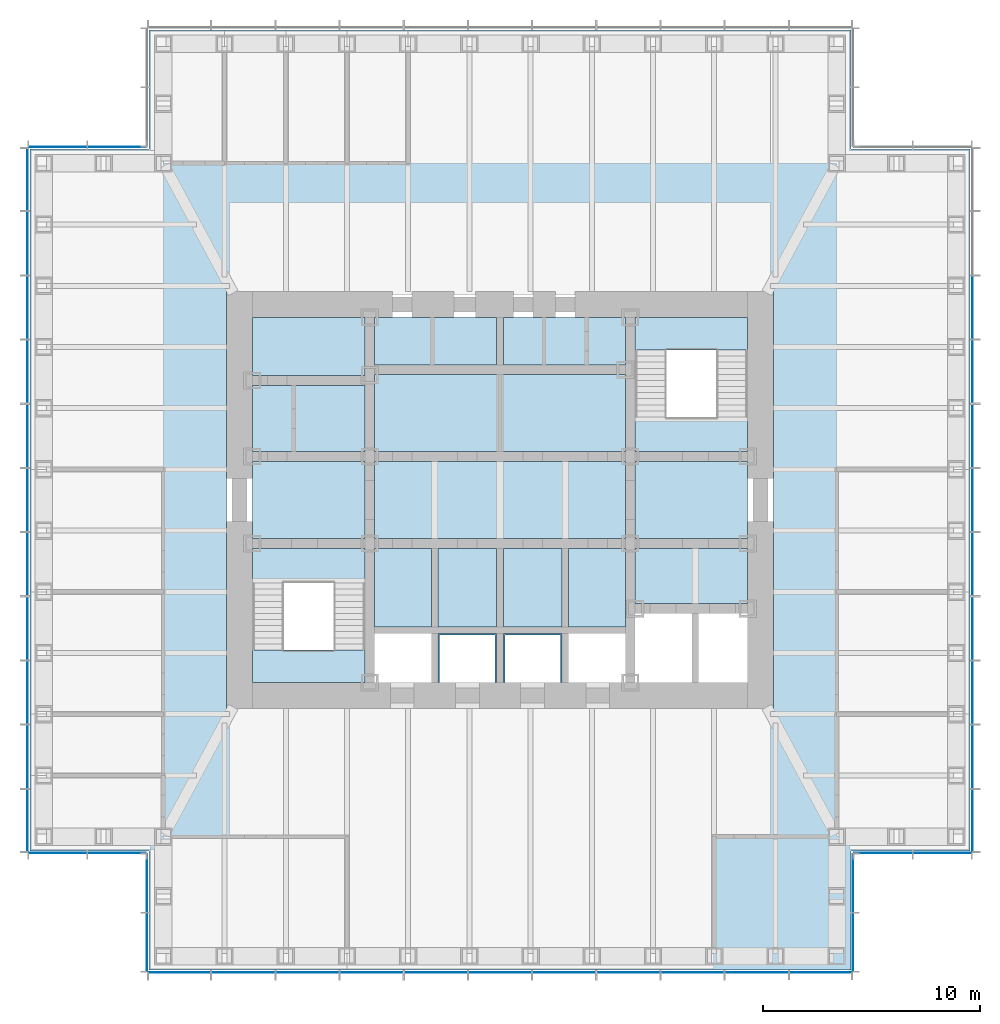
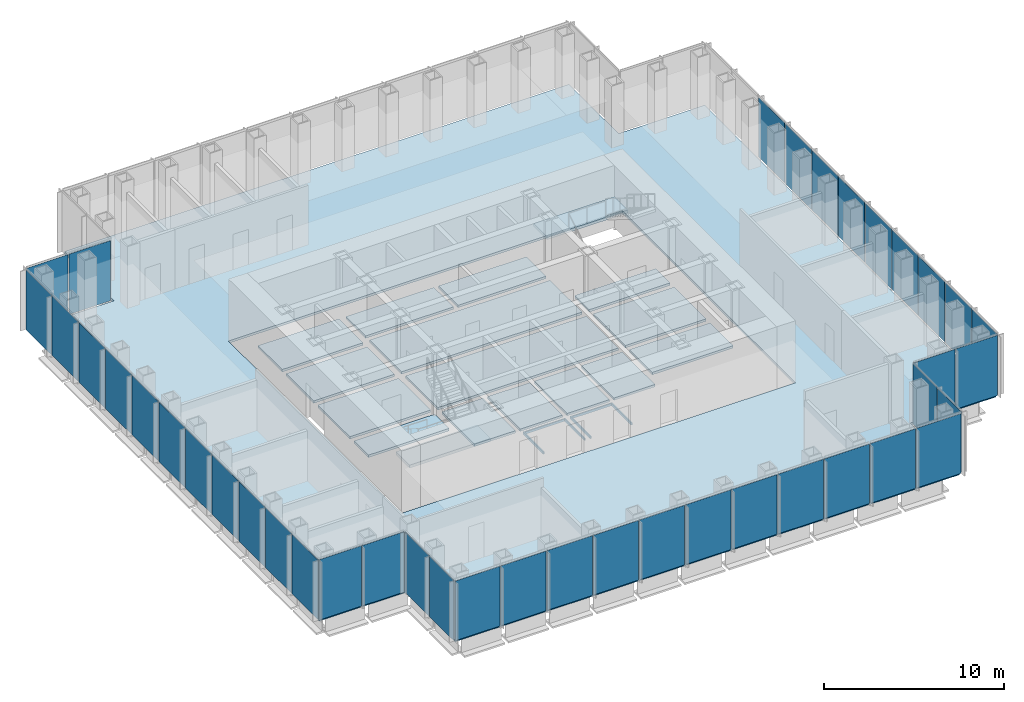
# One storey, part 7 of 16: 41 plates, 20 slabs, 10 elements without a shape of their own.
"""IFC4 building model written with IfcOpenShell, lengths in metres."""

from ifc_helpers import new_model, si_unit, direction, frame, origin, origin_2d, place, context, subcontext, project, spatial, polyline, rectangle, outline, extrude, material, layer, layer_set, type_object, element, aggregate, save


model = new_model("IFC4")

# Units and contexts
model_context = context("Model", 3, precision=1e-05, world=origin(), true_north=direction((0.0, 1.0)))
body_context = subcontext(model_context, "Body", "Model", "MODEL_VIEW")
ifc_project = project(units=[si_unit("LENGTHUNIT", "METRE"), si_unit("AREAUNIT", "SQUARE_METRE"), si_unit("VOLUMEUNIT", "CUBIC_METRE"), si_unit("PLANEANGLEUNIT", "RADIAN"), si_unit("MASSUNIT", "GRAM", prefix="KILO")], contexts=[model_context])

# Site, building, storey
site_placement = place(None, origin())
site = spatial("IfcSite", under=ifc_project, at=site_placement, CompositionType="ELEMENT")
building_placement = place(site_placement, origin())
building = spatial("IfcBuilding", under=site, at=building_placement, Name="Daluyong Arena Tower", CompositionType="ELEMENT")
storey_placement = place(building_placement, frame((0.0, 0.0, 235.89990234375)))
storey = spatial("IfcBuildingStorey", under=building, at=storey_placement, Name="L53", CompositionType="ELEMENT", Elevation=235.89990234375)

# Curtain wall, plates
ifc_material_1 = material(Name="Bronze anodised aluminium and glass", Category="aluminium")
curtain_wall_type_1 = type_object("IfcCurtainWallType", Name="Curtain wall CW3", PredefinedType="USERDEFINED", material=ifc_material_1)
curtain_wall_1_placement = place(storey_placement, origin())
curtain_wall_1 = element("IfcCurtainWall", 1, at=curtain_wall_1_placement, inside=storey, type_object=curtain_wall_type_1, Name="curtain wall L53 S", ObjectType="UNITISED CURTAIN WALL", PredefinedType="USERDEFINED")
ifc_material_2 = material(Name="Tinted double glazed unit", Category="glass")
ifc_layer_1 = layer(ifc_material_2, 0.030029296875)
ifc_layer_set_1 = layer_set([ifc_layer_1], Name="Tinted double glazed unit")
plate_type_1 = type_object("IfcPlateType", Name="CW3 panel 30", PredefinedType="CURTAIN_PANEL", material=ifc_layer_set_1)
plate_1_placement = place(storey_placement, frame((41.244873046875, 58.25, 0.0), z_axis=(0.0, 0.0, 1.0), x_axis=(1.0, 0.0, 0.0)))
plate_1 = element("IfcPlate", 2, at=plate_1_placement, type_object=plate_type_1, Name="curtain wall L53 S panel 1", PredefinedType="CURTAIN_PANEL", context=body_context, shape_type="SweptSolid", body=[
    extrude(rectangle(XDim=2.849609375, YDim=0.030029296875, at=origin_2d()), origin(), (0.0, 0.0, 1.0), 4.0400390625),
])
plate_2_placement = place(storey_placement, frame((44.181884765625, 58.25, 0.0), z_axis=(0.0, 0.0, 1.0), x_axis=(1.0, 0.0, 0.0)))
plate_2 = element("IfcPlate", 3, at=plate_2_placement, type_object=plate_type_1, Name="curtain wall L53 S panel 2", PredefinedType="CURTAIN_PANEL", context=body_context, shape_type="SweptSolid", body=[
    extrude(rectangle(XDim=2.884521484375, YDim=0.030029296875, at=origin_2d()), origin(), (0.0, 0.0, 1.0), 4.0400390625),
])
plate_3_placement = place(storey_placement, frame((47.136474609375, 58.25, 0.0), z_axis=(0.0, 0.0, 1.0), x_axis=(1.0, 0.0, 0.0)))
plate_3 = element("IfcPlate", 4, at=plate_3_placement, type_object=plate_type_1, Name="curtain wall L53 S panel 3", PredefinedType="CURTAIN_PANEL", context=body_context, shape_type="SweptSolid", body=[
    extrude(rectangle(XDim=2.884521484375, YDim=0.030029296875, at=origin_2d()), origin(), (0.0, 0.0, 1.0), 4.0400390625),
])
plate_4_placement = place(storey_placement, frame((50.0908203125, 58.25, 0.0), z_axis=(0.0, 0.0, 1.0), x_axis=(1.0, 0.0, 0.0)))
plate_4 = element("IfcPlate", 5, at=plate_4_placement, type_object=plate_type_1, Name="curtain wall L53 S panel 4", PredefinedType="CURTAIN_PANEL", context=body_context, shape_type="SweptSolid", body=[
    extrude(rectangle(XDim=2.884521484375, YDim=0.030029296875, at=origin_2d()), origin(), (0.0, 0.0, 1.0), 4.0400390625),
])
plate_5_placement = place(storey_placement, frame((53.04541015625, 58.25, 0.0), z_axis=(0.0, 0.0, 1.0), x_axis=(1.0, 0.0, 0.0)))
plate_5 = element("IfcPlate", 6, at=plate_5_placement, type_object=plate_type_1, Name="curtain wall L53 S panel 5", PredefinedType="CURTAIN_PANEL", context=body_context, shape_type="SweptSolid", body=[
    extrude(rectangle(XDim=2.884521484375, YDim=0.030029296875, at=origin_2d()), origin(), (0.0, 0.0, 1.0), 4.0400390625),
])
plate_6_placement = place(storey_placement, frame((56.0, 58.25, 0.0), z_axis=(0.0, 0.0, 1.0), x_axis=(1.0, 0.0, 0.0)))
plate_6 = element("IfcPlate", 7, at=plate_6_placement, type_object=plate_type_1, Name="curtain wall L53 S panel 6", PredefinedType="CURTAIN_PANEL", context=body_context, shape_type="SweptSolid", body=[
    extrude(rectangle(XDim=2.884521484375, YDim=0.030029296875, at=origin_2d()), origin(), (0.0, 0.0, 1.0), 4.0400390625),
])
plate_7_placement = place(storey_placement, frame((58.95458984375, 58.25, 0.0), z_axis=(0.0, 0.0, 1.0), x_axis=(1.0, 0.0, 0.0)))
plate_7 = element("IfcPlate", 8, at=plate_7_placement, type_object=plate_type_1, Name="curtain wall L53 S panel 7", PredefinedType="CURTAIN_PANEL", context=body_context, shape_type="SweptSolid", body=[
    extrude(rectangle(XDim=2.884521484375, YDim=0.030029296875, at=origin_2d()), origin(), (0.0, 0.0, 1.0), 4.0400390625),
])
plate_8_placement = place(storey_placement, frame((61.9091796875, 58.25, 0.0), z_axis=(0.0, 0.0, 1.0), x_axis=(1.0, 0.0, 0.0)))
plate_8 = element("IfcPlate", 9, at=plate_8_placement, type_object=plate_type_1, Name="curtain wall L53 S panel 8", PredefinedType="CURTAIN_PANEL", context=body_context, shape_type="SweptSolid", body=[
    extrude(rectangle(XDim=2.884521484375, YDim=0.030029296875, at=origin_2d()), origin(), (0.0, 0.0, 1.0), 4.0400390625),
])
plate_9_placement = place(storey_placement, frame((64.863525390625, 58.25, 0.0), z_axis=(0.0, 0.0, 1.0), x_axis=(1.0, 0.0, 0.0)))
plate_9 = element("IfcPlate", 10, at=plate_9_placement, type_object=plate_type_1, Name="curtain wall L53 S panel 9", PredefinedType="CURTAIN_PANEL", context=body_context, shape_type="SweptSolid", body=[
    extrude(rectangle(XDim=2.884521484375, YDim=0.030029296875, at=origin_2d()), origin(), (0.0, 0.0, 1.0), 4.0400390625),
])
plate_10_placement = place(storey_placement, frame((67.818115234375, 58.25, 0.0), z_axis=(0.0, 0.0, 1.0), x_axis=(1.0, 0.0, 0.0)))
plate_10 = element("IfcPlate", 11, at=plate_10_placement, type_object=plate_type_1, Name="curtain wall L53 S panel 10", PredefinedType="CURTAIN_PANEL", context=body_context, shape_type="SweptSolid", body=[
    extrude(rectangle(XDim=2.884521484375, YDim=0.030029296875, at=origin_2d()), origin(), (0.0, 0.0, 1.0), 4.0400390625),
])
plate_11_placement = place(storey_placement, frame((70.755126953125, 58.25, 0.0), z_axis=(0.0, 0.0, 1.0), x_axis=(1.0, 0.0, 0.0)))
plate_11 = element("IfcPlate", 12, at=plate_11_placement, type_object=plate_type_1, Name="curtain wall L53 S panel 11", PredefinedType="CURTAIN_PANEL", context=body_context, shape_type="SweptSolid", body=[
    extrude(rectangle(XDim=2.849609375, YDim=0.030029296875, at=origin_2d()), origin(), (0.0, 0.0, 1.0), 4.0400390625),
])
aggregate(curtain_wall_1, [plate_1, plate_2, plate_3, plate_4, plate_5, plate_6, plate_7, plate_8, plate_9, plate_10, plate_11])

curtain_wall_2_placement = place(storey_placement, origin())
curtain_wall_2 = element("IfcCurtainWall", 13, at=curtain_wall_2_placement, inside=storey, type_object=curtain_wall_type_1, Name="curtain wall L53 E", ObjectType="UNITISED CURTAIN WALL", PredefinedType="USERDEFINED")
plate_12_placement = place(storey_placement, frame((77.75, 65.244873046875, 0.0), z_axis=(0.0, 0.0, 1.0), x_axis=(0.0, 1.0, 0.0)))
plate_12 = element("IfcPlate", 14, at=plate_12_placement, type_object=plate_type_1, Name="curtain wall L53 E panel 1", PredefinedType="CURTAIN_PANEL", context=body_context, shape_type="SweptSolid", body=[
    extrude(rectangle(XDim=2.849609375, YDim=0.030029296875, at=origin_2d()), origin(), (0.0, 0.0, 1.0), 4.0400390625),
])
plate_13_placement = place(storey_placement, frame((77.75, 68.181884765625, 0.0), z_axis=(0.0, 0.0, 1.0), x_axis=(0.0, 1.0, 0.0)))
plate_13 = element("IfcPlate", 15, at=plate_13_placement, type_object=plate_type_1, Name="curtain wall L53 E panel 2", PredefinedType="CURTAIN_PANEL", context=body_context, shape_type="SweptSolid", body=[
    extrude(rectangle(XDim=2.884521484375, YDim=0.030029296875, at=origin_2d()), origin(), (0.0, 0.0, 1.0), 4.0400390625),
])
plate_14_placement = place(storey_placement, frame((77.75, 71.136474609375, 0.0), z_axis=(0.0, 0.0, 1.0), x_axis=(0.0, 1.0, 0.0)))
plate_14 = element("IfcPlate", 16, at=plate_14_placement, type_object=plate_type_1, Name="curtain wall L53 E panel 3", PredefinedType="CURTAIN_PANEL", context=body_context, shape_type="SweptSolid", body=[
    extrude(rectangle(XDim=2.884521484375, YDim=0.030029296875, at=origin_2d()), origin(), (0.0, 0.0, 1.0), 4.0400390625),
])
plate_15_placement = place(storey_placement, frame((77.75, 74.0908203125, 0.0), z_axis=(0.0, 0.0, 1.0), x_axis=(0.0, 1.0, 0.0)))
plate_15 = element("IfcPlate", 17, at=plate_15_placement, type_object=plate_type_1, Name="curtain wall L53 E panel 4", PredefinedType="CURTAIN_PANEL", context=body_context, shape_type="SweptSolid", body=[
    extrude(rectangle(XDim=2.884521484375, YDim=0.030029296875, at=origin_2d()), origin(), (0.0, 0.0, 1.0), 4.0400390625),
])
plate_16_placement = place(storey_placement, frame((77.75, 77.04541015625, 0.0), z_axis=(0.0, 0.0, 1.0), x_axis=(0.0, 1.0, 0.0)))
plate_16 = element("IfcPlate", 18, at=plate_16_placement, type_object=plate_type_1, Name="curtain wall L53 E panel 5", PredefinedType="CURTAIN_PANEL", context=body_context, shape_type="SweptSolid", body=[
    extrude(rectangle(XDim=2.884521484375, YDim=0.030029296875, at=origin_2d()), origin(), (0.0, 0.0, 1.0), 4.0400390625),
])
plate_17_placement = place(storey_placement, frame((77.75, 80.0, 0.0), z_axis=(0.0, 0.0, 1.0), x_axis=(0.0, 1.0, 0.0)))
plate_17 = element("IfcPlate", 19, at=plate_17_placement, type_object=plate_type_1, Name="curtain wall L53 E panel 6", PredefinedType="CURTAIN_PANEL", context=body_context, shape_type="SweptSolid", body=[
    extrude(rectangle(XDim=2.884521484375, YDim=0.030029296875, at=origin_2d()), origin(), (0.0, 0.0, 1.0), 4.0400390625),
])
plate_18_placement = place(storey_placement, frame((77.75, 82.95458984375, 0.0), z_axis=(0.0, 0.0, 1.0), x_axis=(0.0, 1.0, 0.0)))
plate_18 = element("IfcPlate", 20, at=plate_18_placement, type_object=plate_type_1, Name="curtain wall L53 E panel 7", PredefinedType="CURTAIN_PANEL", context=body_context, shape_type="SweptSolid", body=[
    extrude(rectangle(XDim=2.884521484375, YDim=0.030029296875, at=origin_2d()), origin(), (0.0, 0.0, 1.0), 4.0400390625),
])
plate_19_placement = place(storey_placement, frame((77.75, 85.9091796875, 0.0), z_axis=(0.0, 0.0, 1.0), x_axis=(0.0, 1.0, 0.0)))
plate_19 = element("IfcPlate", 21, at=plate_19_placement, type_object=plate_type_1, Name="curtain wall L53 E panel 8", PredefinedType="CURTAIN_PANEL", context=body_context, shape_type="SweptSolid", body=[
    extrude(rectangle(XDim=2.884521484375, YDim=0.030029296875, at=origin_2d()), origin(), (0.0, 0.0, 1.0), 4.0400390625),
])
plate_20_placement = place(storey_placement, frame((77.75, 88.863525390625, 0.0), z_axis=(0.0, 0.0, 1.0), x_axis=(0.0, 1.0, 0.0)))
plate_20 = element("IfcPlate", 22, at=plate_20_placement, type_object=plate_type_1, Name="curtain wall L53 E panel 9", PredefinedType="CURTAIN_PANEL", context=body_context, shape_type="SweptSolid", body=[
    extrude(rectangle(XDim=2.884521484375, YDim=0.030029296875, at=origin_2d()), origin(), (0.0, 0.0, 1.0), 4.0400390625),
])
aggregate(curtain_wall_2, [plate_12, plate_13, plate_14, plate_15, plate_16, plate_17, plate_18, plate_19, plate_20])

curtain_wall_3_placement = place(storey_placement, origin())
curtain_wall_3 = element("IfcCurtainWall", 23, at=curtain_wall_3_placement, inside=storey, type_object=curtain_wall_type_1, Name="curtain wall L53 W", ObjectType="UNITISED CURTAIN WALL", PredefinedType="USERDEFINED")
plate_21_placement = place(storey_placement, frame((34.25, 94.755126953125, 0.0), z_axis=(0.0, 0.0, 1.0), x_axis=(0.0, -1.0, 0.0)))
plate_21 = element("IfcPlate", 24, at=plate_21_placement, type_object=plate_type_1, Name="curtain wall L53 W panel 1", PredefinedType="CURTAIN_PANEL", context=body_context, shape_type="SweptSolid", body=[
    extrude(rectangle(XDim=2.849609375, YDim=0.030029296875, at=origin_2d()), origin(), (0.0, 0.0, 1.0), 4.0400390625),
])
plate_22_placement = place(storey_placement, frame((34.25, 91.818115234375, 0.0), z_axis=(0.0, 0.0, 1.0), x_axis=(0.0, -1.0, 0.0)))
plate_22 = element("IfcPlate", 25, at=plate_22_placement, type_object=plate_type_1, Name="curtain wall L53 W panel 2", PredefinedType="CURTAIN_PANEL", context=body_context, shape_type="SweptSolid", body=[
    extrude(rectangle(XDim=2.884521484375, YDim=0.030029296875, at=origin_2d()), origin(), (0.0, 0.0, 1.0), 4.0400390625),
])
plate_23_placement = place(storey_placement, frame((34.25, 88.863525390625, 0.0), z_axis=(0.0, 0.0, 1.0), x_axis=(0.0, -1.0, 0.0)))
plate_23 = element("IfcPlate", 26, at=plate_23_placement, type_object=plate_type_1, Name="curtain wall L53 W panel 3", PredefinedType="CURTAIN_PANEL", context=body_context, shape_type="SweptSolid", body=[
    extrude(rectangle(XDim=2.884521484375, YDim=0.030029296875, at=origin_2d()), origin(), (0.0, 0.0, 1.0), 4.0400390625),
])
plate_24_placement = place(storey_placement, frame((34.25, 85.9091796875, 0.0), z_axis=(0.0, 0.0, 1.0), x_axis=(0.0, -1.0, 0.0)))
plate_24 = element("IfcPlate", 27, at=plate_24_placement, type_object=plate_type_1, Name="curtain wall L53 W panel 4", PredefinedType="CURTAIN_PANEL", context=body_context, shape_type="SweptSolid", body=[
    extrude(rectangle(XDim=2.884521484375, YDim=0.030029296875, at=origin_2d()), origin(), (0.0, 0.0, 1.0), 4.0400390625),
])
plate_25_placement = place(storey_placement, frame((34.25, 82.95458984375, 0.0), z_axis=(0.0, 0.0, 1.0), x_axis=(0.0, -1.0, 0.0)))
plate_25 = element("IfcPlate", 28, at=plate_25_placement, type_object=plate_type_1, Name="curtain wall L53 W panel 5", PredefinedType="CURTAIN_PANEL", context=body_context, shape_type="SweptSolid", body=[
    extrude(rectangle(XDim=2.884521484375, YDim=0.030029296875, at=origin_2d()), origin(), (0.0, 0.0, 1.0), 4.0400390625),
])
plate_26_placement = place(storey_placement, frame((34.25, 80.0, 0.0), z_axis=(0.0, 0.0, 1.0), x_axis=(0.0, -1.0, 0.0)))
plate_26 = element("IfcPlate", 29, at=plate_26_placement, type_object=plate_type_1, Name="curtain wall L53 W panel 6", PredefinedType="CURTAIN_PANEL", context=body_context, shape_type="SweptSolid", body=[
    extrude(rectangle(XDim=2.884521484375, YDim=0.030029296875, at=origin_2d()), origin(), (0.0, 0.0, 1.0), 4.0400390625),
])
plate_27_placement = place(storey_placement, frame((34.25, 77.04541015625, 0.0), z_axis=(0.0, 0.0, 1.0), x_axis=(0.0, -1.0, 0.0)))
plate_27 = element("IfcPlate", 30, at=plate_27_placement, type_object=plate_type_1, Name="curtain wall L53 W panel 7", PredefinedType="CURTAIN_PANEL", context=body_context, shape_type="SweptSolid", body=[
    extrude(rectangle(XDim=2.884521484375, YDim=0.030029296875, at=origin_2d()), origin(), (0.0, 0.0, 1.0), 4.0400390625),
])
plate_28_placement = place(storey_placement, frame((34.25, 74.0908203125, 0.0), z_axis=(0.0, 0.0, 1.0), x_axis=(0.0, -1.0, 0.0)))
plate_28 = element("IfcPlate", 31, at=plate_28_placement, type_object=plate_type_1, Name="curtain wall L53 W panel 8", PredefinedType="CURTAIN_PANEL", context=body_context, shape_type="SweptSolid", body=[
    extrude(rectangle(XDim=2.884521484375, YDim=0.030029296875, at=origin_2d()), origin(), (0.0, 0.0, 1.0), 4.0400390625),
])
plate_29_placement = place(storey_placement, frame((34.25, 71.136474609375, 0.0), z_axis=(0.0, 0.0, 1.0), x_axis=(0.0, -1.0, 0.0)))
plate_29 = element("IfcPlate", 32, at=plate_29_placement, type_object=plate_type_1, Name="curtain wall L53 W panel 9", PredefinedType="CURTAIN_PANEL", context=body_context, shape_type="SweptSolid", body=[
    extrude(rectangle(XDim=2.884521484375, YDim=0.030029296875, at=origin_2d()), origin(), (0.0, 0.0, 1.0), 4.0400390625),
])
plate_30_placement = place(storey_placement, frame((34.25, 68.181884765625, 0.0), z_axis=(0.0, 0.0, 1.0), x_axis=(0.0, -1.0, 0.0)))
plate_30 = element("IfcPlate", 33, at=plate_30_placement, type_object=plate_type_1, Name="curtain wall L53 W panel 10", PredefinedType="CURTAIN_PANEL", context=body_context, shape_type="SweptSolid", body=[
    extrude(rectangle(XDim=2.884521484375, YDim=0.030029296875, at=origin_2d()), origin(), (0.0, 0.0, 1.0), 4.0400390625),
])
plate_31_placement = place(storey_placement, frame((34.25, 65.244873046875, 0.0), z_axis=(0.0, 0.0, 1.0), x_axis=(0.0, -1.0, 0.0)))
plate_31 = element("IfcPlate", 34, at=plate_31_placement, type_object=plate_type_1, Name="curtain wall L53 W panel 11", PredefinedType="CURTAIN_PANEL", context=body_context, shape_type="SweptSolid", body=[
    extrude(rectangle(XDim=2.849609375, YDim=0.030029296875, at=origin_2d()), origin(), (0.0, 0.0, 1.0), 4.0400390625),
])
aggregate(curtain_wall_3, [plate_21, plate_22, plate_23, plate_24, plate_25, plate_26, plate_27, plate_28, plate_29, plate_30, plate_31])

ifc_material_3 = material(Name="Bronze anodised aluminium and glass", Category="aluminium")
curtain_wall_type_2 = type_object("IfcCurtainWallType", Name="Curtain wall CW7", PredefinedType="USERDEFINED", material=ifc_material_3)
curtain_wall_4_placement = place(storey_placement, origin())
curtain_wall_4 = element("IfcCurtainWall", 35, at=curtain_wall_4_placement, inside=storey, type_object=curtain_wall_type_2, Name="curtain wall L53 SE-E", ObjectType="UNITISED CURTAIN WALL", PredefinedType="USERDEFINED")
ifc_material_4 = material(Name="Tinted double glazed unit", Category="glass")
ifc_layer_2 = layer(ifc_material_4, 0.028076171875)
ifc_layer_set_2 = layer_set([ifc_layer_2], Name="Tinted double glazed unit")
plate_type_2 = type_object("IfcPlateType", Name="CW7 panel 28", PredefinedType="CURTAIN_PANEL", material=ifc_layer_set_2)
plate_32_placement = place(storey_placement, frame((72.25, 59.639892578125, 0.0), z_axis=(0.0, 0.0, 1.0), x_axis=(0.0, 1.0, 0.0)))
plate_32 = element("IfcPlate", 36, at=plate_32_placement, type_object=plate_type_2, Name="curtain wall L53 SE-E panel 1", PredefinedType="CURTAIN_PANEL", context=body_context, shape_type="SweptSolid", body=[
    extrude(rectangle(XDim=2.659912109375, YDim=0.028076171875, at=origin_2d()), origin(), (0.0, 0.0, 1.0), 4.080078125),
])
plate_33_placement = place(storey_placement, frame((72.25, 62.360107421875, 0.0), z_axis=(0.0, 0.0, 1.0), x_axis=(0.0, 1.0, 0.0)))
plate_33 = element("IfcPlate", 37, at=plate_33_placement, type_object=plate_type_2, Name="curtain wall L53 SE-E panel 2", PredefinedType="CURTAIN_PANEL", context=body_context, shape_type="SweptSolid", body=[
    extrude(rectangle(XDim=2.659912109375, YDim=0.028076171875, at=origin_2d()), origin(), (0.0, 0.0, 1.0), 4.080078125),
])
aggregate(curtain_wall_4, [plate_32, plate_33])

curtain_wall_5_placement = place(storey_placement, origin())
curtain_wall_5 = element("IfcCurtainWall", 38, at=curtain_wall_5_placement, inside=storey, type_object=curtain_wall_type_2, Name="curtain wall L53 SE-S", ObjectType="UNITISED CURTAIN WALL", PredefinedType="USERDEFINED")
plate_34_placement = place(storey_placement, frame((73.639892578125, 63.75, 0.0), z_axis=(0.0, 0.0, 1.0), x_axis=(1.0, 0.0, 0.0)))
plate_34 = element("IfcPlate", 39, at=plate_34_placement, type_object=plate_type_2, Name="curtain wall L53 SE-S panel 1", PredefinedType="CURTAIN_PANEL", context=body_context, shape_type="SweptSolid", body=[
    extrude(rectangle(XDim=2.659912109375, YDim=0.028076171875, at=origin_2d()), origin(), (0.0, 0.0, 1.0), 4.080078125),
])
plate_35_placement = place(storey_placement, frame((76.360107421875, 63.75, 0.0), z_axis=(0.0, 0.0, 1.0), x_axis=(1.0, 0.0, 0.0)))
plate_35 = element("IfcPlate", 40, at=plate_35_placement, type_object=plate_type_2, Name="curtain wall L53 SE-S panel 2", PredefinedType="CURTAIN_PANEL", context=body_context, shape_type="SweptSolid", body=[
    extrude(rectangle(XDim=2.659912109375, YDim=0.028076171875, at=origin_2d()), origin(), (0.0, 0.0, 1.0), 4.080078125),
])
aggregate(curtain_wall_5, [plate_34, plate_35])

curtain_wall_6_placement = place(storey_placement, origin())
curtain_wall_6 = element("IfcCurtainWall", 41, at=curtain_wall_6_placement, inside=storey, type_object=curtain_wall_type_2, Name="curtain wall L53 NW-N", ObjectType="UNITISED CURTAIN WALL", PredefinedType="USERDEFINED")
plate_36_placement = place(storey_placement, frame((38.360107421875, 96.25, 0.0), z_axis=(0.0, 0.0, 1.0), x_axis=(-1.0, 0.0, 0.0)))
plate_36 = element("IfcPlate", 42, at=plate_36_placement, type_object=plate_type_2, Name="curtain wall L53 NW-N panel 1", PredefinedType="CURTAIN_PANEL", context=body_context, shape_type="SweptSolid", body=[
    extrude(rectangle(XDim=2.659912109375, YDim=0.028076171875, at=origin_2d()), origin(), (0.0, 0.0, 1.0), 4.080078125),
])
plate_37_placement = place(storey_placement, frame((35.639892578125, 96.25, 0.0), z_axis=(0.0, 0.0, 1.0), x_axis=(-1.0, 0.0, 0.0)))
plate_37 = element("IfcPlate", 43, at=plate_37_placement, type_object=plate_type_2, Name="curtain wall L53 NW-N panel 2", PredefinedType="CURTAIN_PANEL", context=body_context, shape_type="SweptSolid", body=[
    extrude(rectangle(XDim=2.659912109375, YDim=0.028076171875, at=origin_2d()), origin(), (0.0, 0.0, 1.0), 4.080078125),
])
aggregate(curtain_wall_6, [plate_36, plate_37])

curtain_wall_7_placement = place(storey_placement, origin())
curtain_wall_7 = element("IfcCurtainWall", 44, at=curtain_wall_7_placement, inside=storey, type_object=curtain_wall_type_2, Name="curtain wall L53 SW-S", ObjectType="UNITISED CURTAIN WALL", PredefinedType="USERDEFINED")
plate_38_placement = place(storey_placement, frame((35.639892578125, 63.75, 0.0), z_axis=(0.0, 0.0, 1.0), x_axis=(1.0, 0.0, 0.0)))
plate_38 = element("IfcPlate", 45, at=plate_38_placement, type_object=plate_type_2, Name="curtain wall L53 SW-S panel 1", PredefinedType="CURTAIN_PANEL", context=body_context, shape_type="SweptSolid", body=[
    extrude(rectangle(XDim=2.659912109375, YDim=0.028076171875, at=origin_2d()), origin(), (0.0, 0.0, 1.0), 4.080078125),
])
plate_39_placement = place(storey_placement, frame((38.360107421875, 63.75, 0.0), z_axis=(0.0, 0.0, 1.0), x_axis=(1.0, 0.0, 0.0)))
plate_39 = element("IfcPlate", 46, at=plate_39_placement, type_object=plate_type_2, Name="curtain wall L53 SW-S panel 2", PredefinedType="CURTAIN_PANEL", context=body_context, shape_type="SweptSolid", body=[
    extrude(rectangle(XDim=2.659912109375, YDim=0.028076171875, at=origin_2d()), origin(), (0.0, 0.0, 1.0), 4.080078125),
])
aggregate(curtain_wall_7, [plate_38, plate_39])

curtain_wall_8_placement = place(storey_placement, origin())
curtain_wall_8 = element("IfcCurtainWall", 47, at=curtain_wall_8_placement, inside=storey, type_object=curtain_wall_type_2, Name="curtain wall L53 SW-W", ObjectType="UNITISED CURTAIN WALL", PredefinedType="USERDEFINED")
plate_40_placement = place(storey_placement, frame((39.75, 62.360107421875, 0.0), z_axis=(0.0, 0.0, 1.0), x_axis=(0.0, -1.0, 0.0)))
plate_40 = element("IfcPlate", 48, at=plate_40_placement, type_object=plate_type_2, Name="curtain wall L53 SW-W panel 1", PredefinedType="CURTAIN_PANEL", context=body_context, shape_type="SweptSolid", body=[
    extrude(rectangle(XDim=2.659912109375, YDim=0.028076171875, at=origin_2d()), origin(), (0.0, 0.0, 1.0), 4.080078125),
])
plate_41_placement = place(storey_placement, frame((39.75, 59.639892578125, 0.0), z_axis=(0.0, 0.0, 1.0), x_axis=(0.0, -1.0, 0.0)))
plate_41 = element("IfcPlate", 49, at=plate_41_placement, type_object=plate_type_2, Name="curtain wall L53 SW-W panel 2", PredefinedType="CURTAIN_PANEL", context=body_context, shape_type="SweptSolid", body=[
    extrude(rectangle(XDim=2.659912109375, YDim=0.028076171875, at=origin_2d()), origin(), (0.0, 0.0, 1.0), 4.080078125),
])
aggregate(curtain_wall_8, [plate_40, plate_41])

# Stair, slab
ifc_material_5 = material(Name="Concrete fc' 35 MPa", Category="concrete")
stair_type = type_object("IfcStairType", Name="Core exit stair", PredefinedType="HALF_TURN_STAIR", material=ifc_material_5)
stair_1_placement = place(storey_placement, origin())
stair_1 = element("IfcStair", 50, at=stair_1_placement, inside=storey, type_object=stair_type, Name="exit stair A L53", PredefinedType="HALF_TURN_STAIR")
ifc_material_6 = material(Name="Concrete fc' 35 MPa", Category="concrete")
ifc_layer_3 = layer(ifc_material_6, 0.199951171875)
ifc_layer_set_3 = layer_set([ifc_layer_3], Name="Concrete fc' 35 MPa")
slab_type_1 = type_object("IfcSlabType", Name="Stair landing 200", PredefinedType="LANDING", material=ifc_layer_set_3)
slab_1_placement = place(storey_placement, frame((0.0, 0.0, 1.900146484375)))
slab_1 = element("IfcSlab", 51, at=slab_1_placement, type_object=slab_type_1, Name="STA landing 1", PredefinedType="LANDING", context=body_context, shape_type="SweptSolid", body=[
    extrude(outline(polyline([(44.60009765625, 71.60009765625), (49.77490234375, 71.60009765625), (49.77490234375, 73.094970703125), (44.60009765625, 73.094970703125), (44.60009765625, 71.60009765625)])), origin(), (0.0, 0.0, 1.0), 0.199951171875),
])
aggregate(stair_1, [slab_1])

stair_2_placement = place(storey_placement, origin())
stair_2 = element("IfcStair", 52, at=stair_2_placement, inside=storey, type_object=stair_type, Name="exit stair B L53", PredefinedType="HALF_TURN_STAIR")
slab_2_placement = place(storey_placement, frame((0.0, 0.0, 1.900146484375)))
slab_2 = element("IfcSlab", 53, at=slab_2_placement, type_object=slab_type_1, Name="STB landing 1", PredefinedType="LANDING", context=body_context, shape_type="SweptSolid", body=[
    extrude(outline(polyline([(62.22509765625, 86.905029296875), (67.39990234375, 86.905029296875), (67.39990234375, 88.39990234375), (62.22509765625, 88.39990234375), (62.22509765625, 86.905029296875)])), origin(), (0.0, 0.0, 1.0), 0.199951171875),
])
aggregate(stair_2, [slab_2])

# Slabs
ifc_material_7 = material(Name="Concrete fc' 35 MPa", Category="concrete")
ifc_layer_4 = layer(ifc_material_7, 0.159912109375)
ifc_layer_set_4 = layer_set([ifc_layer_4], Name="Concrete fc' 35 MPa")
slab_type_2 = type_object("IfcSlabType", Name="Tower floor slab 160", PredefinedType="FLOOR", material=ifc_layer_set_4)
slab_3_placement = place(storey_placement, frame((0.0, 0.0, -0.159912109375)))
element("IfcSlab", 54, at=slab_3_placement, inside=storey, type_object=slab_type_2, Name="floor L53 part 1", PredefinedType="FLOOR", context=body_context, shape_type="SweptSolid", body=[
    extrude(outline(polyline([(49.77490234375, 77.77490234375), (44.60009765625, 77.77490234375), (44.60009765625, 76.175048828125), (49.77490234375, 76.175048828125), (49.77490234375, 77.77490234375)])), origin(), (0.0, 0.0, 1.0), 0.159912109375),
])
slab_4_placement = place(storey_placement, frame((0.0, 0.0, -0.159912109375)))
element("IfcSlab", 55, at=slab_4_placement, inside=storey, type_object=slab_type_2, Name="floor L53 part 2", PredefinedType="FLOOR", context=body_context, shape_type="SweptSolid", body=[
    extrude(outline(polyline([(49.77490234375, 78.22509765625), (49.77490234375, 81.77490234375), (44.60009765625, 81.77490234375), (44.60009765625, 78.22509765625), (49.77490234375, 78.22509765625)])), origin(), (0.0, 0.0, 1.0), 0.159912109375),
])
slab_5_placement = place(storey_placement, frame((0.0, 0.0, -0.159912109375)))
element("IfcSlab", 56, at=slab_5_placement, inside=storey, type_object=slab_type_2, Name="floor L53 part 3", PredefinedType="FLOOR", context=body_context, shape_type="SweptSolid", body=[
    extrude(outline(polyline([(44.60009765625, 85.27490234375), (44.60009765625, 82.22509765625), (49.77490234375, 82.22509765625), (49.77490234375, 85.27490234375), (44.60009765625, 85.27490234375)])), origin(), (0.0, 0.0, 1.0), 0.159912109375),
])
slab_6_placement = place(storey_placement, frame((0.0, 0.0, -0.159912109375)))
element("IfcSlab", 57, at=slab_6_placement, inside=storey, type_object=slab_type_2, Name="floor L53 part 4", PredefinedType="FLOOR", context=body_context, shape_type="SweptSolid", body=[
    extrude(outline(polyline([(44.60009765625, 88.39990234375), (44.60009765625, 85.72509765625), (49.77490234375, 85.72509765625), (49.77490234375, 88.39990234375), (44.60009765625, 88.39990234375)])), origin(), (0.0, 0.0, 1.0), 0.159912109375),
])
slab_7_placement = place(storey_placement, frame((0.0, 0.0, -0.159912109375)))
element("IfcSlab", 58, at=slab_7_placement, inside=storey, type_object=slab_type_2, Name="floor L53 part 5", PredefinedType="FLOOR", context=body_context, shape_type="SweptSolid", body=[
    extrude(outline(polyline([(52.85009765625, 74.14990234375), (52.85009765625, 77.77490234375), (50.22509765625, 77.77490234375), (50.22509765625, 74.14990234375), (52.85009765625, 74.14990234375)])), origin(), (0.0, 0.0, 1.0), 0.159912109375),
])
slab_8_placement = place(storey_placement, frame((0.0, 0.0, -0.159912109375)))
element("IfcSlab", 59, at=slab_8_placement, inside=storey, type_object=slab_type_2, Name="floor L53 part 6", PredefinedType="FLOOR", context=body_context, shape_type="SweptSolid", body=[
    extrude(outline(polyline([(50.22509765625, 88.39990234375), (50.22509765625, 86.22509765625), (55.85009765625, 86.22509765625), (55.85009765625, 88.39990234375), (50.22509765625, 88.39990234375)])), origin(), (0.0, 0.0, 1.0), 0.159912109375),
])
slab_9_placement = place(storey_placement, frame((0.0, 0.0, -0.159912109375)))
element("IfcSlab", 60, at=slab_9_placement, inside=storey, type_object=slab_type_2, Name="floor L53 part 7", PredefinedType="FLOOR", context=body_context, shape_type="SweptSolid", body=[
    extrude(outline(polyline([(53.22509765625, 71.60009765625), (53.22509765625, 73.77490234375), (55.77490234375, 73.77490234375), (55.77490234375, 71.60009765625), (55.85009765625, 71.60009765625), (55.85009765625, 73.85009765625), (53.14990234375, 73.85009765625), (53.14990234375, 71.60009765625), (53.22509765625, 71.60009765625)])), origin(), (0.0, 0.0, 1.0), 0.159912109375),
])
slab_10_placement = place(storey_placement, frame((0.0, 0.0, -0.159912109375)))
element("IfcSlab", 61, at=slab_10_placement, inside=storey, type_object=slab_type_2, Name="floor L53 part 8", PredefinedType="FLOOR", context=body_context, shape_type="SweptSolid", body=[
    extrude(outline(polyline([(53.14990234375, 74.14990234375), (55.85009765625, 74.14990234375), (55.85009765625, 77.77490234375), (53.14990234375, 77.77490234375), (53.14990234375, 74.14990234375)])), origin(), (0.0, 0.0, 1.0), 0.159912109375),
])
slab_11_placement = place(storey_placement, frame((0.0, 0.0, -0.159912109375)))
element("IfcSlab", 62, at=slab_11_placement, inside=storey, type_object=slab_type_2, Name="floor L53 part 9", PredefinedType="FLOOR", context=body_context, shape_type="SweptSolid", body=[
    extrude(outline(polyline([(39.85009765625, 63.85009765625), (39.85009765625, 58.35009765625), (72.14990234375, 58.35009765625), (72.14990234375, 63.85009765625), (77.64990234375, 63.85009765625), (77.64990234375, 96.14990234375), (72.14990234375, 96.14990234375), (72.14990234375, 101.64990234375), (39.85009765625, 101.64990234375), (39.85009765625, 96.14990234375), (34.35009765625, 96.14990234375), (34.35009765625, 63.85009765625), (39.85009765625, 63.85009765625)]), holes=[polyline([(68.60009765625, 89.60009765625), (68.60009765625, 70.39990234375), (43.39990234375, 70.39990234375), (43.39990234375, 89.60009765625), (68.60009765625, 89.60009765625)])]), origin(), (0.0, 0.0, 1.0), 0.159912109375),
])
slab_12_placement = place(storey_placement, frame((0.0, 0.0, -0.159912109375)))
element("IfcSlab", 63, at=slab_12_placement, inside=storey, type_object=slab_type_2, Name="floor L53 part 10", PredefinedType="FLOOR", context=body_context, shape_type="SweptSolid", body=[
    extrude(outline(polyline([(50.22509765625, 81.77490234375), (50.22509765625, 78.22509765625), (61.77490234375, 78.22509765625), (61.77490234375, 81.77490234375), (50.22509765625, 81.77490234375)])), origin(), (0.0, 0.0, 1.0), 0.159912109375),
])
slab_13_placement = place(storey_placement, frame((0.0, 0.0, -0.159912109375)))
element("IfcSlab", 64, at=slab_13_placement, inside=storey, type_object=slab_type_2, Name="floor L53 part 11", PredefinedType="FLOOR", context=body_context, shape_type="SweptSolid", body=[
    extrude(outline(polyline([(50.22509765625, 85.77490234375), (50.22509765625, 82.22509765625), (61.77490234375, 82.22509765625), (61.77490234375, 85.77490234375), (50.22509765625, 85.77490234375)])), origin(), (0.0, 0.0, 1.0), 0.159912109375),
])
slab_14_placement = place(storey_placement, frame((0.0, 0.0, -0.159912109375)))
element("IfcSlab", 65, at=slab_14_placement, inside=storey, type_object=slab_type_2, Name="floor L53 part 12", PredefinedType="FLOOR", context=body_context, shape_type="SweptSolid", body=[
    extrude(outline(polyline([(56.22509765625, 71.60009765625), (56.22509765625, 73.77490234375), (58.77490234375, 73.77490234375), (58.77490234375, 71.60009765625), (58.85009765625, 71.60009765625), (58.85009765625, 73.85009765625), (56.14990234375, 73.85009765625), (56.14990234375, 71.60009765625), (56.22509765625, 71.60009765625)])), origin(), (0.0, 0.0, 1.0), 0.159912109375),
])
slab_15_placement = place(storey_placement, frame((0.0, 0.0, -0.159912109375)))
element("IfcSlab", 66, at=slab_15_placement, inside=storey, type_object=slab_type_2, Name="floor L53 part 13", PredefinedType="FLOOR", context=body_context, shape_type="SweptSolid", body=[
    extrude(outline(polyline([(58.85009765625, 77.77490234375), (56.14990234375, 77.77490234375), (56.14990234375, 74.14990234375), (58.85009765625, 74.14990234375), (58.85009765625, 77.77490234375)])), origin(), (0.0, 0.0, 1.0), 0.159912109375),
])
slab_16_placement = place(storey_placement, frame((0.0, 0.0, -0.159912109375)))
element("IfcSlab", 67, at=slab_16_placement, inside=storey, type_object=slab_type_2, Name="floor L53 part 14", PredefinedType="FLOOR", context=body_context, shape_type="SweptSolid", body=[
    extrude(outline(polyline([(56.14990234375, 88.39990234375), (56.14990234375, 86.22509765625), (61.77490234375, 86.22509765625), (61.77490234375, 88.39990234375), (56.14990234375, 88.39990234375)])), origin(), (0.0, 0.0, 1.0), 0.159912109375),
])
slab_17_placement = place(storey_placement, frame((0.0, 0.0, -0.159912109375)))
element("IfcSlab", 68, at=slab_17_placement, inside=storey, type_object=slab_type_2, Name="floor L53 part 15", PredefinedType="FLOOR", context=body_context, shape_type="SweptSolid", body=[
    extrude(outline(polyline([(61.77490234375, 77.77490234375), (59.14990234375, 77.77490234375), (59.14990234375, 74.14990234375), (61.77490234375, 74.14990234375), (61.77490234375, 77.77490234375)])), origin(), (0.0, 0.0, 1.0), 0.159912109375),
])
slab_18_placement = place(storey_placement, frame((0.0, 0.0, -0.159912109375)))
element("IfcSlab", 69, at=slab_18_placement, inside=storey, type_object=slab_type_2, Name="floor L53 part 16", PredefinedType="FLOOR", context=body_context, shape_type="SweptSolid", body=[
    extrude(outline(polyline([(67.39990234375, 75.22509765625), (67.39990234375, 77.77490234375), (62.22509765625, 77.77490234375), (62.22509765625, 75.22509765625), (67.39990234375, 75.22509765625)])), origin(), (0.0, 0.0, 1.0), 0.159912109375),
])
slab_19_placement = place(storey_placement, frame((0.0, 0.0, -0.159912109375)))
element("IfcSlab", 70, at=slab_19_placement, inside=storey, type_object=slab_type_2, Name="floor L53 part 17", PredefinedType="FLOOR", context=body_context, shape_type="SweptSolid", body=[
    extrude(outline(polyline([(67.39990234375, 78.22509765625), (67.39990234375, 81.77490234375), (62.22509765625, 81.77490234375), (62.22509765625, 78.22509765625), (67.39990234375, 78.22509765625)])), origin(), (0.0, 0.0, 1.0), 0.159912109375),
])
slab_20_placement = place(storey_placement, frame((0.0, 0.0, -0.159912109375)))
element("IfcSlab", 71, at=slab_20_placement, inside=storey, type_object=slab_type_2, Name="floor L53 part 18", PredefinedType="FLOOR", context=body_context, shape_type="SweptSolid", body=[
    extrude(outline(polyline([(67.39990234375, 83.824951171875), (62.22509765625, 83.824951171875), (62.22509765625, 82.22509765625), (67.39990234375, 82.22509765625), (67.39990234375, 83.824951171875)])), origin(), (0.0, 0.0, 1.0), 0.159912109375),
])

save(model, "model.ifc")
